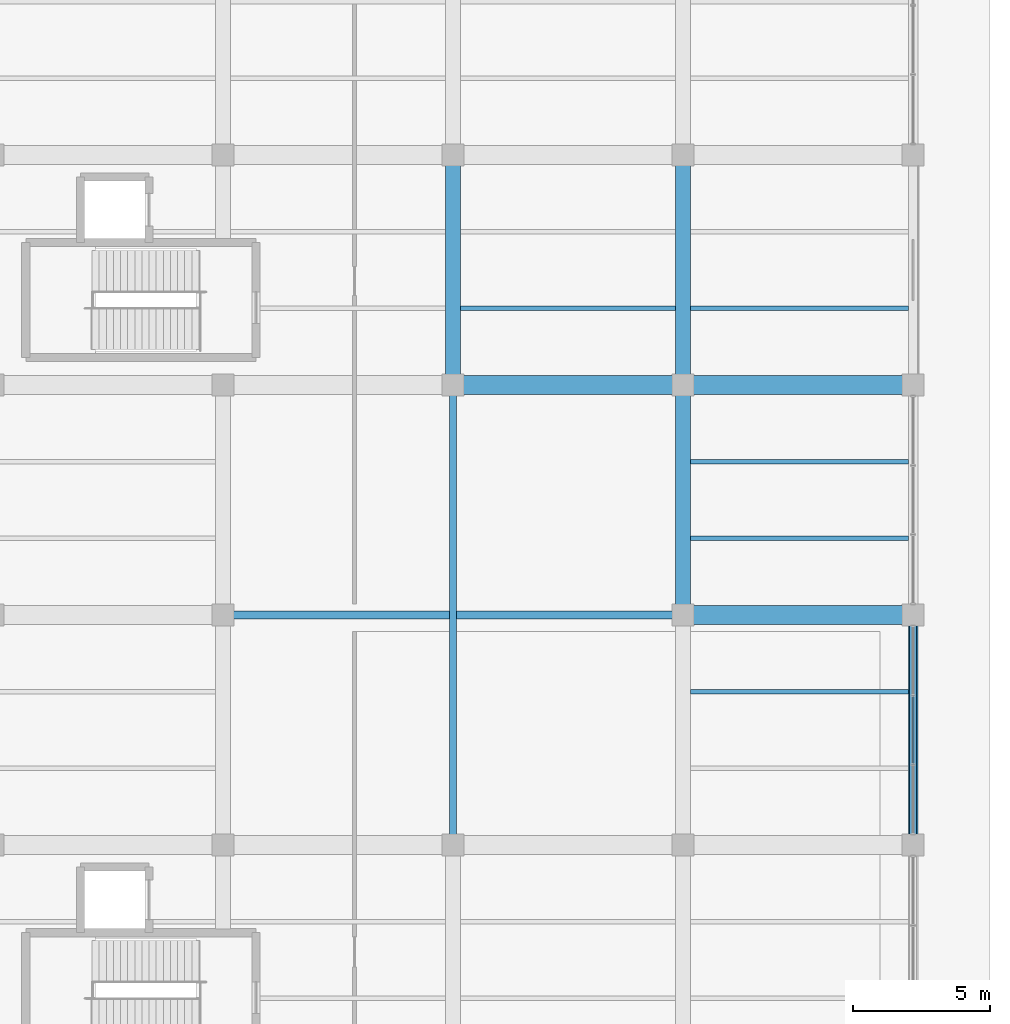
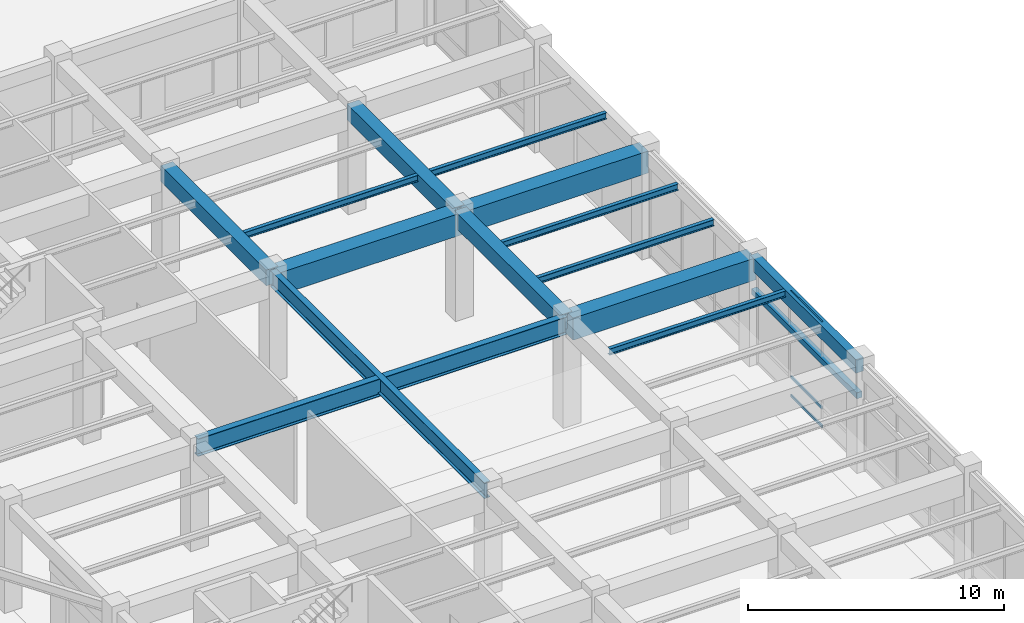
# One storey, part 104 of 157: 15 beams, 3 members, 1 element without a shape of its own.
"""IFC4 building model written with IfcOpenShell, lengths in metres."""

from ifc_helpers import new_model, si_unit, direction, frame, origin, origin_2d, place, context, subcontext, project, spatial, rectangle, hollow_rectangle, i_section, extrude, material, material_profile, profile_set, type_object, element, aggregate, save


model = new_model("IFC4")

# Units and contexts
model_context = context("Model", 3, precision=1e-05, world=origin(), true_north=direction((0.0, 1.0)))
body_context = subcontext(model_context, "Body", "Model", "MODEL_VIEW")
ifc_project = project(units=[si_unit("LENGTHUNIT", "METRE"), si_unit("AREAUNIT", "SQUARE_METRE"), si_unit("VOLUMEUNIT", "CUBIC_METRE"), si_unit("PLANEANGLEUNIT", "RADIAN"), si_unit("MASSUNIT", "GRAM", prefix="KILO"), si_unit("THERMODYNAMICTEMPERATUREUNIT", "KELVIN"), si_unit("POWERUNIT", "WATT")], contexts=[model_context])

# Site, building, storey
site_placement = place(None, origin())
site = spatial("IfcSite", under=ifc_project, at=site_placement, CompositionType="ELEMENT")
building_placement = place(site_placement, origin())
building = spatial("IfcBuilding", under=site, at=building_placement, Name="Darbajah Civic Hall", CompositionType="ELEMENT")
storey_placement = place(building_placement, origin())
storey = spatial("IfcBuildingStorey", under=building, at=storey_placement, Name="L00", CompositionType="ELEMENT", Elevation=0.0)

# Curtain wall, members
ifc_material_1 = material(Name="Anodised Bronze Aluminium and Low-E Glazing", Category="aluminium")
curtain_wall_type = type_object("IfcCurtainWallType", Name="Unitised Curtain Wall CW-95 7600x5050", PredefinedType="USERDEFINED", material=ifc_material_1)
curtain_wall_placement = place(storey_placement, origin())
curtain_wall = element("IfcCurtainWall", 1, at=curtain_wall_placement, inside=storey, type_object=curtain_wall_type, Name="L00 unitised curtain wall CW-V4-L00-S1-B2", ObjectType="UNITISED CURTAIN WALL", PredefinedType="USERDEFINED")
ifc_material_2 = material(Name="Anodised Bronze Aluminium", Category="aluminium")
ifc_material_profile_1 = material_profile(ifc_material_2, hollow_rectangle(XDim=0.06005859375, YDim=0.1201171875, WallThickness=0.003173828125, at=origin_2d()), Name="ALU TRANSOM 60x120")
ifc_profile_set_1 = profile_set([ifc_material_profile_1], Name="Anodised Bronze Aluminium")
member_type = type_object("IfcMemberType", Name="ALU TRANSOM 60x120", PredefinedType="USERDEFINED", material=ifc_profile_set_1)
member_1_placement = place(storey_placement, frame((178.199951171875, 76.1689453125, 0.06005859375), z_axis=(0.0, 1.0, 0.0), x_axis=(-1.0, 0.0, 0.0)))
member_1 = element("IfcMember", 2, at=member_1_placement, type_object=member_type, Name="CW-V4-L00-S1-B2 transom 2.1", ObjectType="TRANSOM", PredefinedType="USERDEFINED", context=body_context, shape_type="SweptSolid", body=[
    extrude(hollow_rectangle(XDim=0.06005859375, YDim=0.1201171875, WallThickness=0.003173828125, at=origin_2d()), origin(), (0.0, 0.0, 1.0), 2.462158203125),
])
member_2_placement = place(storey_placement, frame((178.199951171875, 76.1689453125, 0.949951171875), z_axis=(0.0, 1.0, 0.0), x_axis=(-1.0, 0.0, 0.0)))
member_2 = element("IfcMember", 3, at=member_2_placement, type_object=member_type, Name="CW-V4-L00-S1-B2 transom 2.2", ObjectType="TRANSOM", PredefinedType="USERDEFINED", context=body_context, shape_type="SweptSolid", body=[
    extrude(hollow_rectangle(XDim=0.06005859375, YDim=0.1201171875, WallThickness=0.003173828125, at=origin_2d()), origin(), (0.0, 0.0, 1.0), 2.462158203125),
])
member_3_placement = place(storey_placement, frame((178.199951171875, 76.1689453125, 5.0), z_axis=(0.0, 1.0, 0.0), x_axis=(-1.0, 0.0, 0.0)))
member_3 = element("IfcMember", 4, at=member_3_placement, type_object=member_type, Name="CW-V4-L00-S1-B2 transom 2.3", ObjectType="TRANSOM", PredefinedType="USERDEFINED", context=body_context, shape_type="SweptSolid", body=[
    extrude(hollow_rectangle(XDim=0.06005859375, YDim=0.1201171875, WallThickness=0.003173828125, at=origin_2d()), origin(), (0.0, 0.0, 1.0), 2.462158203125),
])
aggregate(curtain_wall, [member_1, member_2, member_3])

# Beams
ifc_material_3 = material(Name="Concrete C45/55", Category="concrete")
ifc_material_profile_2 = material_profile(ifc_material_3, rectangle(XDim=0.550048828125, YDim=0.75, at=origin_2d()), Name="RC BEAM 550x750")
ifc_profile_set_2 = profile_set([ifc_material_profile_2], Name="Concrete C45/55")
beam_type_1 = type_object("IfcBeamType", Name="RC BEAM 550x750", PredefinedType="BEAM", material=ifc_profile_set_2)
for number, where, z_axis, x_axis, name in (
    (5, (161.39990234375, 90.080078125, 4.68505859375), (0.0, 1.0, 0.0), (-1.0, 0.0, 0.0), "L00 beam BM-5575"),
    (6, (169.800048828125, 81.679931640625, 4.68505859375), (0.0, 1.0, 0.0), (-1.0, 0.0, 0.0), "L00 beam BM-5575"),
    (7, (169.800048828125, 90.080078125, 4.68505859375), (0.0, 1.0, 0.0), (-1.0, 0.0, 0.0), "L00 beam BM-5575"),
):
    element("IfcBeam", number, at=place(storey_placement, frame(where, z_axis=z_axis, x_axis=x_axis)), inside=storey, type_object=beam_type_1, Name=name, PredefinedType="BEAM", context=body_context, shape_type="SweptSolid", body=[
        extrude(rectangle(XDim=0.550048828125, YDim=0.75, at=origin_2d()), origin(), (0.0, 0.0, 1.0), 8.239990234375),
    ])
ifc_material_4 = material(Name="Concrete C50/60", Category="concrete")
ifc_material_profile_3 = material_profile(ifc_material_4, rectangle(XDim=0.699951171875, YDim=1.050048828125, at=origin_2d()), Name="RC GIRDER 700x1050")
ifc_profile_set_3 = profile_set([ifc_material_profile_3], Name="Concrete C50/60")
beam_type_2 = type_object("IfcBeamType", Name="RC GIRDER 700x1050", PredefinedType="BEAM", material=ifc_profile_set_3)
beam_1_placement = place(storey_placement, frame((169.8798828125, 81.60009765625, 4.534912109375), z_axis=(1.0, 0.0, 0.0), x_axis=(0.0, 1.0, 0.0)))
element("IfcBeam", 8, at=beam_1_placement, inside=storey, type_object=beam_type_2, Name="L00 beam BG-7010", PredefinedType="BEAM", context=body_context, shape_type="SweptSolid", body=[
    extrude(rectangle(XDim=0.699951171875, YDim=1.050048828125, at=origin_2d()), origin(), (0.0, 0.0, 1.0), 8.240234375),
])
beam_2_placement = place(storey_placement, frame((161.47998046875, 90.0, 4.534912109375), z_axis=(1.0, 0.0, 0.0), x_axis=(0.0, 1.0, 0.0)))
element("IfcBeam", 9, at=beam_2_placement, inside=storey, type_object=beam_type_2, Name="L00 beam BG-7010", PredefinedType="BEAM", context=body_context, shape_type="SweptSolid", body=[
    extrude(rectangle(XDim=0.699951171875, YDim=1.050048828125, at=origin_2d()), origin(), (0.0, 0.0, 1.0), 8.239990234375),
])
beam_3_placement = place(storey_placement, frame((169.8798828125, 90.0, 4.534912109375), z_axis=(1.0, 0.0, 0.0), x_axis=(0.0, 1.0, 0.0)))
element("IfcBeam", 10, at=beam_3_placement, inside=storey, type_object=beam_type_2, Name="L00 beam BG-7010", PredefinedType="BEAM", context=body_context, shape_type="SweptSolid", body=[
    extrude(rectangle(XDim=0.699951171875, YDim=1.050048828125, at=origin_2d()), origin(), (0.0, 0.0, 1.0), 8.240234375),
])
ifc_material_profile_4 = material_profile(ifc_material_3, rectangle(XDim=0.25, YDim=0.280029296875, at=origin_2d()), Name="RC LINTEL 250x280")
ifc_profile_set_4 = profile_set([ifc_material_profile_4], Name="Concrete C45/55")
beam_type_3 = type_object("IfcBeamType", Name="RC LINTEL 250x280", PredefinedType="LINTEL", material=ifc_profile_set_4)
beam_4_placement = place(storey_placement, frame((178.199951171875, 73.2900390625, 3.31005859375), z_axis=(0.0, 1.0, 0.0), x_axis=(-1.0, 0.0, 0.0)))
element("IfcBeam", 11, at=beam_4_placement, inside=storey, type_object=beam_type_3, Name="L00 stone portal lintel LN-2528", PredefinedType="LINTEL", context=body_context, shape_type="SweptSolid", body=[
    extrude(rectangle(XDim=0.25, YDim=0.280029296875, at=origin_2d()), origin(), (0.0, 0.0, 1.0), 8.219970703125),
])
ifc_material_profile_5 = material_profile(ifc_material_3, rectangle(XDim=0.35009765625, YDim=0.64990234375, at=origin_2d()), Name="RC SPANDREL 350x650")
ifc_profile_set_5 = profile_set([ifc_material_profile_5], Name="Concrete C45/55")
beam_type_4 = type_object("IfcBeamType", Name="RC SPANDREL 350x650", PredefinedType="SPANDREL", material=ifc_profile_set_5)
beam_5_placement = place(storey_placement, frame((178.199951171875, 73.280029296875, 4.735107421875), z_axis=(0.0, 1.0, 0.0), x_axis=(-1.0, 0.0, 0.0)))
element("IfcBeam", 12, at=beam_5_placement, inside=storey, type_object=beam_type_4, Name="L00 beam SP-3565", PredefinedType="SPANDREL", context=body_context, shape_type="SweptSolid", body=[
    extrude(rectangle(XDim=0.35009765625, YDim=0.64990234375, at=origin_2d()), origin(), (0.0, 0.0, 1.0), 8.239990234375),
])
ifc_material_5 = material(Name="Steel S355JR", Category="steel")
ifc_material_profile_6 = material_profile(ifc_material_5, i_section(OverallWidth=0.165771484375, OverallDepth=0.306640625, WebThickness=0.006591796875, FlangeThickness=0.01171875, FilletRadius=0.0087890625, at=origin_2d()), Name="UB 305x165x46")
ifc_profile_set_6 = profile_set([ifc_material_profile_6], Name="Steel S355JR")
beam_type_5 = type_object("IfcBeamType", Name="UB 305x165x46", PredefinedType="JOIST", material=ifc_profile_set_6)
beam_6_placement = place(storey_placement, frame((161.675048828125, 92.800048828125, 4.90673828125), z_axis=(1.0, 0.0, 0.0), x_axis=(0.0, 1.0, 0.0)))
element("IfcBeam", 13, at=beam_6_placement, inside=storey, type_object=beam_type_5, Name="L00 beam SJ-305", PredefinedType="JOIST", context=body_context, shape_type="SweptSolid", body=[
    extrude(i_section(OverallWidth=0.165771484375, OverallDepth=0.306640625, WebThickness=0.006591796875, FlangeThickness=0.01171875, FilletRadius=0.0087890625, at=origin_2d()), origin(), (0.0, 0.0, 1.0), 7.849853515625),
])
for number, where, z_axis, x_axis, name in (
    (14, (170.074951171875, 78.800048828125, 4.90673828125), (1.0, 0.0, 0.0), (0.0, 1.0, 0.0), "L00 beam SJ-305"),
    (15, (170.074951171875, 84.39990234375, 4.90673828125), (1.0, 0.0, 0.0), (0.0, 1.0, 0.0), "L00 beam SJ-305"),
    (16, (170.074951171875, 87.199951171875, 4.90673828125), (1.0, 0.0, 0.0), (0.0, 1.0, 0.0), "L00 beam SJ-305"),
    (17, (170.074951171875, 92.800048828125, 4.90673828125), (1.0, 0.0, 0.0), (0.0, 1.0, 0.0), "L00 beam SJ-305"),
):
    element("IfcBeam", number, at=place(storey_placement, frame(where, z_axis=z_axis, x_axis=x_axis)), inside=storey, type_object=beam_type_5, Name=name, PredefinedType="JOIST", context=body_context, shape_type="SweptSolid", body=[
        extrude(i_section(OverallWidth=0.165771484375, OverallDepth=0.306640625, WebThickness=0.006591796875, FlangeThickness=0.01171875, FilletRadius=0.0087890625, at=origin_2d()), origin(), (0.0, 0.0, 1.0), 7.949951171875),
    ])
ifc_material_profile_7 = material_profile(ifc_material_5, i_section(OverallWidth=0.2666015625, OverallDepth=0.76220703125, WebThickness=0.014404296875, FlangeThickness=0.021484375, FilletRadius=0.0166015625, at=origin_2d()), Name="UB 762x267x173")
ifc_profile_set_7 = profile_set([ifc_material_profile_7], Name="Steel S355JR")
beam_type_6 = type_object("IfcBeamType", Name="UB 762x267x173", PredefinedType="BEAM", material=ifc_profile_set_7)
beam_7_placement = place(storey_placement, frame((161.39990234375, 73.280029296875, 4.678955078125), z_axis=(0.0, 1.0, 0.0), x_axis=(-1.0, 0.0, 0.0)))
element("IfcBeam", 18, at=beam_7_placement, inside=storey, type_object=beam_type_6, Name="L00 beam SB-762", PredefinedType="BEAM", context=body_context, shape_type="SweptSolid", body=[
    extrude(i_section(OverallWidth=0.2666015625, OverallDepth=0.76220703125, WebThickness=0.014404296875, FlangeThickness=0.021484375, FilletRadius=0.0166015625, at=origin_2d()), origin(), (0.0, 0.0, 1.0), 16.699951171875),
])
ifc_material_profile_8 = material_profile(ifc_material_5, i_section(OverallWidth=0.29248046875, OverallDepth=0.8408203125, WebThickness=0.0146484375, FlangeThickness=0.021728515625, FilletRadius=0.017822265625, at=origin_2d()), Name="UB 838x292x194")
ifc_profile_set_8 = profile_set([ifc_material_profile_8], Name="Steel S355JR")
beam_type_7 = type_object("IfcBeamType", Name="UB 838x292x194", PredefinedType="BEAM", material=ifc_profile_set_8)
beam_8_placement = place(storey_placement, frame((153.080078125, 81.60009765625, 4.6396484375), z_axis=(1.0, 0.0, 0.0), x_axis=(0.0, 1.0, 0.0)))
element("IfcBeam", 19, at=beam_8_placement, inside=storey, type_object=beam_type_7, Name="L00 beam SB-838", PredefinedType="BEAM", context=body_context, shape_type="SweptSolid", body=[
    extrude(i_section(OverallWidth=0.29248046875, OverallDepth=0.8408203125, WebThickness=0.0146484375, FlangeThickness=0.021728515625, FilletRadius=0.017822265625, at=origin_2d()), origin(), (0.0, 0.0, 1.0), 16.639892578125),
])

save(model, "model.ifc")
